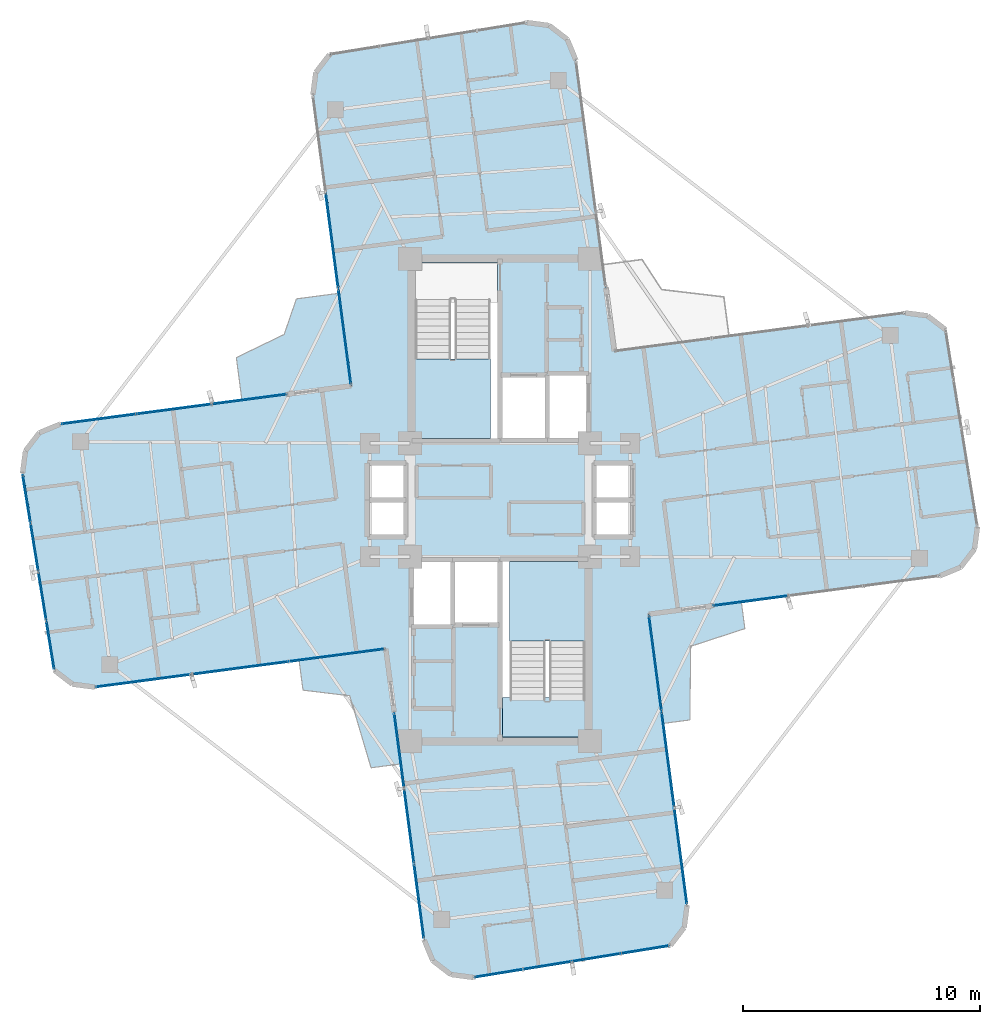
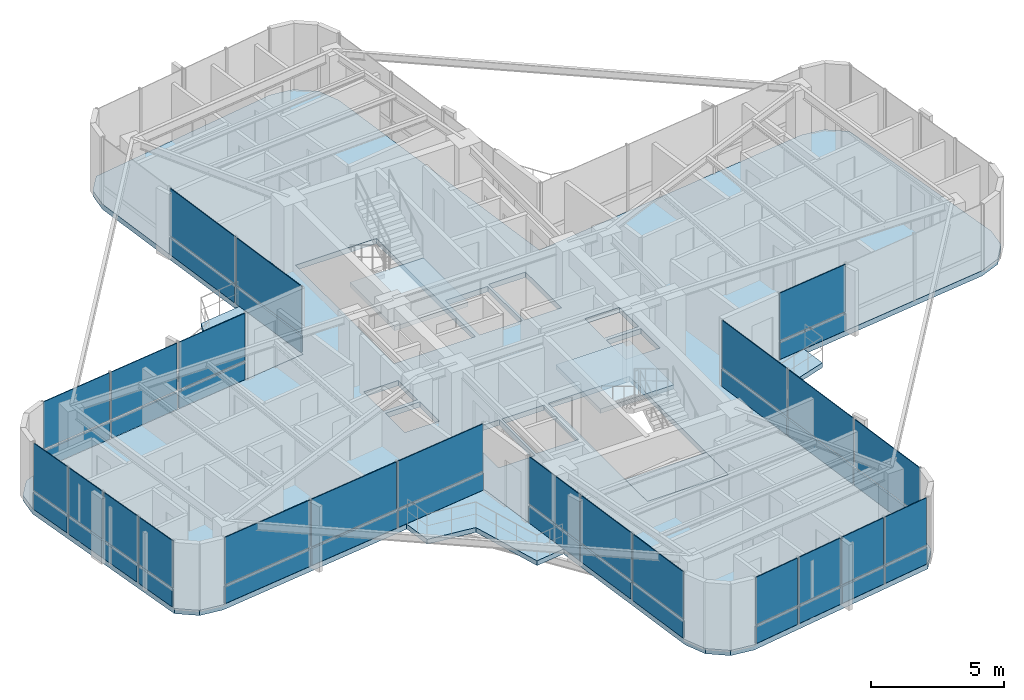
# One storey, part 17 of 23: 46 plates, 7 slabs, 10 elements without a shape of their own.
"""IFC4 building model written with IfcOpenShell, lengths in metres."""

from ifc_helpers import new_model, si_unit, direction, frame, origin, origin_2d, place, context, subcontext, project, spatial, polyline, rectangle, outline, extrude, source, transform, mapped, material, layer, layer_set, type_object, element, aggregate, save


model = new_model("IFC4")

# Units and contexts
model_context = context("Model", 3, precision=1e-05, world=origin(), true_north=direction((0.0, 1.0)))
body_context = subcontext(model_context, "Body", "Model", "MODEL_VIEW")
ifc_project = project(units=[si_unit("LENGTHUNIT", "METRE"), si_unit("AREAUNIT", "SQUARE_METRE"), si_unit("VOLUMEUNIT", "CUBIC_METRE"), si_unit("PLANEANGLEUNIT", "RADIAN"), si_unit("MASSUNIT", "GRAM", prefix="KILO")], contexts=[model_context])

# Site, building, storey
site_placement = place(None, origin())
site = spatial("IfcSite", under=ifc_project, at=site_placement, CompositionType="ELEMENT")
building_placement = place(site_placement, origin())
building = spatial("IfcBuilding", under=site, at=building_placement, Name="Sahyath Konkavel Grand Hotel", CompositionType="ELEMENT")
storey_placement = place(building_placement, frame((0.0, 0.0, 254.550048828125)))
storey = spatial("IfcBuildingStorey", under=building, at=storey_placement, Name="L71", CompositionType="ELEMENT", Elevation=254.550048828125)

# Slabs
ifc_material_1 = material(Name="Concrete C40/50", Category="concrete")
ifc_layer_1 = layer(ifc_material_1, 0.239990234375)
ifc_layer_set_1 = layer_set([ifc_layer_1], Name="Concrete C40/50")
slab_type_1 = type_object("IfcSlabType", Name="SLB-240", PredefinedType="FLOOR", material=ifc_layer_set_1)
slab_1_placement = place(storey_placement, frame((0.0, 0.0, -0.239990234375)))
element("IfcSlab", 1, at=slab_1_placement, inside=storey, type_object=slab_type_1, Name="L71 Structural Floor Slab", PredefinedType="FLOOR", context=body_context, shape_type="SweptSolid", body=[
    extrude(outline(polyline([(6.28759765625, -4.82470703125), (18.58056640625, -3.206298828125), (19.465087890625, -2.839599609375), (20.048095703125, -2.080078125), (20.173095703125, -1.130615234375), (18.82666015625, 7.197998046875), (18.06689453125, 7.781005859375), (17.117431640625, 7.906005859375), (4.82470703125, 6.28759765625), (3.206298828125, 18.58056640625), (2.839599609375, 19.465087890625), (2.080078125, 20.048095703125), (1.130615234375, 20.173095703125), (-7.197998046875, 18.82666015625), (-7.781005859375, 18.06689453125), (-7.906005859375, 17.117431640625), (-6.28759765625, 4.82470703125), (-18.58056640625, 3.206298828125), (-19.465087890625, 2.839599609375), (-20.048095703125, 2.080078125), (-20.173095703125, 1.130615234375), (-18.82666015625, -7.197998046875), (-18.06689453125, -7.781005859375), (-17.117431640625, -7.906005859375), (-4.82470703125, -6.28759765625), (-3.206298828125, -18.58056640625), (-2.839599609375, -19.465087890625), (-2.080078125, -20.048095703125), (-1.130615234375, -20.173095703125), (7.197998046875, -18.82666015625), (7.781005859375, -18.06689453125), (7.906005859375, -17.117431640625), (6.28759765625, -4.82470703125)]), holes=[polyline([(-3.6201171875, 2.580078125), (-0.10009765625, 2.580078125), (-0.10009765625, 10.02001953125), (-3.6201171875, 10.02001953125), (-3.6201171875, 2.580078125)]), polyline([(0.10009765625, -10.02001953125), (3.6201171875, -10.02001953125), (3.6201171875, -2.580078125), (0.10009765625, -2.580078125), (0.10009765625, -10.02001953125)]), polyline([(0.10009765625, 2.60009765625), (1.949951171875, 2.60009765625), (1.949951171875, 5.199951171875), (0.10009765625, 5.199951171875), (0.10009765625, 2.60009765625)]), polyline([(-1.949951171875, -5.199951171875), (-0.10009765625, -5.199951171875), (-0.10009765625, -2.60009765625), (-1.949951171875, -2.60009765625), (-1.949951171875, -5.199951171875)]), polyline([(2.050048828125, 2.60009765625), (3.64990234375, 2.60009765625), (3.64990234375, 5.300048828125), (2.050048828125, 5.300048828125), (2.050048828125, 2.60009765625)]), polyline([(-3.64990234375, -5.300048828125), (-2.050048828125, -5.300048828125), (-2.050048828125, -2.60009765625), (-3.64990234375, -2.60009765625), (-3.64990234375, -5.300048828125)]), polyline([(4.050048828125, 0.080078125), (5.550048828125, 0.080078125), (5.550048828125, 1.5400390625), (4.050048828125, 1.5400390625), (4.050048828125, 0.080078125)]), polyline([(4.050048828125, -1.5400390625), (5.550048828125, -1.5400390625), (5.550048828125, -0.080078125), (4.050048828125, -0.080078125), (4.050048828125, -1.5400390625)]), polyline([(-5.550048828125, 0.080078125), (-4.050048828125, 0.080078125), (-4.050048828125, 1.5400390625), (-5.550048828125, 1.5400390625), (-5.550048828125, 0.080078125)]), polyline([(-5.550048828125, -1.5400390625), (-4.050048828125, -1.5400390625), (-4.050048828125, -0.080078125), (-5.550048828125, -0.080078125), (-5.550048828125, -1.5400390625)])]), origin(), (0.0, 0.0, 1.0), 0.239990234375),
])
ifc_layer_2 = layer(ifc_material_1, 0.219970703125)
ifc_layer_set_2 = layer_set([ifc_layer_2], Name="Concrete C40/50")
slab_type_2 = type_object("IfcSlabType", Name="SLB-BALCONY-220", PredefinedType="FLOOR", material=ifc_layer_set_2)
slab_2_placement = place(storey_placement, frame((0.0, 0.0, -0.219970703125)))
element("IfcSlab", 2, at=slab_2_placement, inside=storey, type_object=slab_type_2, Name="L71 Winter-Garden Balcony NW", PredefinedType="FLOOR", context=body_context, shape_type="SweptSolid", body=[
    extrude(outline(polyline([(-6.28759765625, 4.82470703125), (-6.80224609375, 8.73486328125), (-8.603271484375, 8.497802734375), (-9.118408203125, 6.99658203125), (-11.140869140625, 6.017822265625), (-10.90380859375, 4.216796875), (-6.28759765625, 4.82470703125)])), origin(), (0.0, 0.0, 1.0), 0.219970703125),
])
slab_3_placement = place(storey_placement, frame((0.0, 0.0, -0.219970703125)))
element("IfcSlab", 3, at=slab_3_placement, inside=storey, type_object=slab_type_2, Name="L71 Winter-Garden Balcony SW", PredefinedType="FLOOR", context=body_context, shape_type="SweptSolid", body=[
    extrude(outline(polyline([(-4.82470703125, -6.28759765625), (-8.489990234375, -6.77001953125), (-8.323486328125, -8.03369140625), (-6.348388671875, -8.2734375), (-5.447998046875, -11.31494140625), (-4.1845703125, -11.148681640625), (-4.82470703125, -6.28759765625)])), origin(), (0.0, 0.0, 1.0), 0.219970703125),
])
slab_4_placement = place(storey_placement, frame((0.0, 0.0, -0.219970703125)))
element("IfcSlab", 4, at=slab_4_placement, inside=storey, type_object=slab_type_2, Name="L71 Winter-Garden Balcony SE", PredefinedType="FLOOR", context=body_context, shape_type="SweptSolid", body=[
    extrude(outline(polyline([(6.28759765625, -4.82470703125), (6.895263671875, -9.44091796875), (8.02099609375, -9.29248046875), (8.056884765625, -6.182373046875), (10.345947265625, -5.435546875), (10.19775390625, -4.309814453125), (6.28759765625, -4.82470703125)])), origin(), (0.0, 0.0, 1.0), 0.219970703125),
])

# Stair, slab
stair_type = type_object("IfcStairType", Name="STR-ST16-335", PredefinedType="HALF_TURN_STAIR", material=ifc_material_1)
stair_1_placement = place(storey_placement, origin())
stair_1 = element("IfcStair", 5, at=stair_1_placement, inside=storey, type_object=stair_type, Name="L71 North Core Smokeproof Exit Stair ST-1", PredefinedType="HALF_TURN_STAIR")
ifc_layer_3 = layer(ifc_material_1, 0.199951171875)
ifc_layer_set_3 = layer_set([ifc_layer_3], Name="Concrete C40/50")
slab_type_3 = type_object("IfcSlabType", Name="SLB-STAIR-LND", PredefinedType="LANDING", material=ifc_layer_set_3)
slab_5_placement = place(storey_placement, frame((0.0, 0.0, 1.474853515625)))
slab_5 = element("IfcSlab", 6, at=slab_5_placement, type_object=slab_type_3, Name="ST-1 landing 1", PredefinedType="LANDING", context=body_context, shape_type="SweptSolid", body=[
    extrude(outline(polyline([(-3.60009765625, 5.9599609375), (-3.60009765625, 2.60009765625), (-0.39990234375, 2.60009765625), (-0.39990234375, 5.9599609375), (-3.60009765625, 5.9599609375)])), origin(), (0.0, 0.0, 1.0), 0.2001953125),
])
aggregate(stair_1, [slab_5])

stair_2_placement = place(storey_placement, origin())
stair_2 = element("IfcStair", 7, at=stair_2_placement, inside=storey, type_object=stair_type, Name="L71 South Core Smokeproof Exit Stair ST-2", PredefinedType="HALF_TURN_STAIR")
slab_6_placement = place(storey_placement, frame((0.0, 0.0, 1.474853515625)))
slab_6 = element("IfcSlab", 8, at=slab_6_placement, type_object=slab_type_3, Name="ST-2 landing 1", PredefinedType="LANDING", context=body_context, shape_type="SweptSolid", body=[
    extrude(outline(polyline([(3.60009765625, -5.9599609375), (3.60009765625, -2.60009765625), (0.39990234375, -2.60009765625), (0.39990234375, -5.9599609375), (3.60009765625, -5.9599609375)])), origin(), (0.0, 0.0, 1.0), 0.2001953125),
])
aggregate(stair_2, [slab_6])

# Slab
slab_7_placement = place(storey_placement, frame((0.0, 0.0, -0.199951171875)))
element("IfcSlab", 9, at=slab_7_placement, inside=storey, type_object=slab_type_3, Name="L71 Stair ST-2 Floor Landing Slab", PredefinedType="LANDING", context=body_context, shape_type="SweptSolid", body=[
    extrude(outline(polyline([(0.10009765625, -10.02001953125), (3.6201171875, -10.02001953125), (3.6201171875, -8.35009765625), (0.10009765625, -8.35009765625), (0.10009765625, -10.02001953125)])), origin(), (0.0, 0.0, 1.0), 0.199951171875),
])

# Curtain wall, plate
ifc_material_2 = material(Name="Anodised Bronze Aluminium & Low-E Glazing", Category="aluminium")
curtain_wall_type = type_object("IfcCurtainWallType", Name="CW-ZONE4", PredefinedType="NOTDEFINED", material=ifc_material_2)
curtain_wall_1_placement = place(storey_placement, origin())
curtain_wall_1 = element("IfcCurtainWall", 10, at=curtain_wall_1_placement, inside=storey, type_object=curtain_wall_type, Name="L71 Unitised Curtain Wall F0", PredefinedType="NOTDEFINED")
ifc_material_3 = material(Name="Warm Buff Sandstone Cladding", Category="masonry")
ifc_layer_4 = layer(ifc_material_3, 0.074951171875)
ifc_layer_set_4 = layer_set([ifc_layer_4], Name="Warm Buff Sandstone Cladding")
plate_type_1 = type_object("IfcPlateType", Name="PNL-SPANDREL-STONE", PredefinedType="SHEET", material=ifc_layer_set_4)
shared_shape_1 = source(origin(), body_context, "Body", "SweptSolid", [
    extrude(rectangle(XDim=3.12646484375, YDim=0.074951171875, at=origin_2d()), origin(), (0.0, 0.0, 1.0), 0.77001953125),
])
plate_1_placement = place(storey_placement, frame((10.593505859375, -4.2578125, 0.0400390625), z_axis=(0.0, 0.0, 1.0), x_axis=(0.991444861374, 0.13052619222, 0.0)))
plate_1 = element("IfcPlate", 11, at=plate_1_placement, type_object=plate_type_1, Name="L71 Sandstone Relief Spandrel Panel F0-0", PredefinedType="SHEET", context=body_context, shape_type="MappedRepresentation", body=[
    mapped(shared_shape_1, transform((0.0, 0.0, 0.0), scale=1.0)),
])

# Curtain wall, plates
curtain_wall_2_placement = place(storey_placement, origin())
curtain_wall_2 = element("IfcCurtainWall", 12, at=curtain_wall_2_placement, inside=storey, type_object=curtain_wall_type, Name="L71 Unitised Curtain Wall F16", PredefinedType="NOTDEFINED")
plate_2_placement = place(storey_placement, frame((-10.593505859375, 4.2578125, 0.0400390625), z_axis=(0.0, 0.0, 1.0), x_axis=(-0.991444861374, -0.13052619222, 0.0)))
plate_2 = element("IfcPlate", 13, at=plate_2_placement, type_object=plate_type_1, Name="L71 Sandstone Relief Spandrel Panel F16-0", PredefinedType="SHEET", context=body_context, shape_type="MappedRepresentation", body=[
    mapped(shared_shape_1, transform((0.0, 0.0, 0.0), scale=1.0)),
])
plate_3_placement = place(storey_placement, frame((-13.7724609375, 3.839111328125, 0.0400390625), z_axis=(0.0, 0.0, 1.0), x_axis=(-0.991444861374, -0.13052619222, 0.0)))
plate_3 = element("IfcPlate", 14, at=plate_3_placement, type_object=plate_type_1, Name="L71 Sandstone Relief Spandrel Panel F16-1", PredefinedType="SHEET", context=body_context, shape_type="MappedRepresentation", body=[
    mapped(shared_shape_1, transform((0.0, 0.0, 0.0), scale=1.0)),
])
plate_4_placement = place(storey_placement, frame((-16.951416015625, 3.420654296875, 0.0400390625), z_axis=(0.0, 0.0, 1.0), x_axis=(-0.991444861374, -0.13052619222, 0.0)))
plate_4 = element("IfcPlate", 15, at=plate_4_placement, type_object=plate_type_1, Name="L71 Sandstone Relief Spandrel Panel F16-2", PredefinedType="SHEET", context=body_context, shape_type="MappedRepresentation", body=[
    mapped(shared_shape_1, transform((0.0, 0.0, 0.0), scale=1.0)),
])

curtain_wall_3_placement = place(storey_placement, origin())
curtain_wall_3 = element("IfcCurtainWall", 16, at=curtain_wall_3_placement, inside=storey, type_object=curtain_wall_type, Name="L71 Unitised Curtain Wall F24", PredefinedType="NOTDEFINED")
plate_5_placement = place(storey_placement, frame((-4.2578125, -10.593505859375, 0.0400390625), z_axis=(0.0, 0.0, 1.0), x_axis=(0.13052619222, -0.991444861374, 0.0)))
plate_5 = element("IfcPlate", 17, at=plate_5_placement, type_object=plate_type_1, Name="L71 Sandstone Relief Spandrel Panel F24-0", PredefinedType="SHEET", context=body_context, shape_type="MappedRepresentation", body=[
    mapped(shared_shape_1, transform((0.0, 0.0, 0.0), scale=1.0)),
])
plate_6_placement = place(storey_placement, frame((-3.839111328125, -13.7724609375, 0.0400390625), z_axis=(0.0, 0.0, 1.0), x_axis=(0.13052619222, -0.991444861374, 0.0)))
plate_6 = element("IfcPlate", 18, at=plate_6_placement, type_object=plate_type_1, Name="L71 Sandstone Relief Spandrel Panel F24-1", PredefinedType="SHEET", context=body_context, shape_type="MappedRepresentation", body=[
    mapped(shared_shape_1, transform((0.0, 0.0, 0.0), scale=1.0)),
])
plate_7_placement = place(storey_placement, frame((-3.420654296875, -16.951416015625, 0.0400390625), z_axis=(0.0, 0.0, 1.0), x_axis=(0.13052619222, -0.991444861374, 0.0)))
plate_7 = element("IfcPlate", 19, at=plate_7_placement, type_object=plate_type_1, Name="L71 Sandstone Relief Spandrel Panel F24-2", PredefinedType="SHEET", context=body_context, shape_type="MappedRepresentation", body=[
    mapped(shared_shape_1, transform((0.0, 0.0, 0.0), scale=1.0)),
])

# Plate
ifc_material_4 = material(Name="Low-E Solar Control Double Glazing", Category="glass")
ifc_layer_5 = layer(ifc_material_4, 0.035888671875)
ifc_layer_set_5 = layer_set([ifc_layer_5], Name="Low-E Solar Control Double Glazing")
plate_type_2 = type_object("IfcPlateType", Name="PNL-VISION-LOWE", PredefinedType="CURTAIN_PANEL", material=ifc_layer_set_5)
shared_shape_2 = source(origin(), body_context, "Body", "SweptSolid", [
    extrude(rectangle(XDim=3.12646484375, YDim=0.035888671875, at=origin_2d()), origin(), (0.0, 0.0, 1.0), 2.179931640625),
])
plate_8_placement = place(storey_placement, frame((10.593505859375, -4.2578125, 0.89013671875), z_axis=(0.0, 0.0, 1.0), x_axis=(0.991444861374, 0.13052619222, 0.0)))
plate_8 = element("IfcPlate", 20, at=plate_8_placement, type_object=plate_type_2, Name="L71 Low-E Vision Glazing Panel F0-0", PredefinedType="CURTAIN_PANEL", context=body_context, shape_type="MappedRepresentation", body=[
    mapped(shared_shape_2, transform((0.0, 0.0, 0.0), scale=1.0)),
])

aggregate(curtain_wall_1, [plate_1, plate_8])

plate_9_placement = place(storey_placement, frame((-10.593505859375, 4.2578125, 0.89013671875), z_axis=(0.0, 0.0, 1.0), x_axis=(-0.991444861374, -0.13052619222, 0.0)))
plate_9 = element("IfcPlate", 21, at=plate_9_placement, type_object=plate_type_2, Name="L71 Low-E Vision Glazing Panel F16-0", PredefinedType="CURTAIN_PANEL", context=body_context, shape_type="MappedRepresentation", body=[
    mapped(shared_shape_2, transform((0.0, 0.0, 0.0), scale=1.0)),
])

plate_10_placement = place(storey_placement, frame((-13.7724609375, 3.839111328125, 0.89013671875), z_axis=(0.0, 0.0, 1.0), x_axis=(-0.991444861374, -0.13052619222, 0.0)))
plate_10 = element("IfcPlate", 22, at=plate_10_placement, type_object=plate_type_2, Name="L71 Low-E Vision Glazing Panel F16-1", PredefinedType="CURTAIN_PANEL", context=body_context, shape_type="MappedRepresentation", body=[
    mapped(shared_shape_2, transform((0.0, 0.0, 0.0), scale=1.0)),
])

plate_11_placement = place(storey_placement, frame((-16.951416015625, 3.420654296875, 0.89013671875), z_axis=(0.0, 0.0, 1.0), x_axis=(-0.991444861374, -0.13052619222, 0.0)))
plate_11 = element("IfcPlate", 23, at=plate_11_placement, type_object=plate_type_2, Name="L71 Low-E Vision Glazing Panel F16-2", PredefinedType="CURTAIN_PANEL", context=body_context, shape_type="MappedRepresentation", body=[
    mapped(shared_shape_2, transform((0.0, 0.0, 0.0), scale=1.0)),
])

aggregate(curtain_wall_2, [plate_2, plate_9, plate_3, plate_10, plate_4, plate_11])

plate_12_placement = place(storey_placement, frame((-4.2578125, -10.593505859375, 0.89013671875), z_axis=(0.0, 0.0, 1.0), x_axis=(0.13052619222, -0.991444861374, 0.0)))
plate_12 = element("IfcPlate", 24, at=plate_12_placement, type_object=plate_type_2, Name="L71 Low-E Vision Glazing Panel F24-0", PredefinedType="CURTAIN_PANEL", context=body_context, shape_type="MappedRepresentation", body=[
    mapped(shared_shape_2, transform((0.0, 0.0, 0.0), scale=1.0)),
])

plate_13_placement = place(storey_placement, frame((-3.839111328125, -13.7724609375, 0.89013671875), z_axis=(0.0, 0.0, 1.0), x_axis=(0.13052619222, -0.991444861374, 0.0)))
plate_13 = element("IfcPlate", 25, at=plate_13_placement, type_object=plate_type_2, Name="L71 Low-E Vision Glazing Panel F24-1", PredefinedType="CURTAIN_PANEL", context=body_context, shape_type="MappedRepresentation", body=[
    mapped(shared_shape_2, transform((0.0, 0.0, 0.0), scale=1.0)),
])

plate_14_placement = place(storey_placement, frame((-3.420654296875, -16.951416015625, 0.89013671875), z_axis=(0.0, 0.0, 1.0), x_axis=(0.13052619222, -0.991444861374, 0.0)))
plate_14 = element("IfcPlate", 26, at=plate_14_placement, type_object=plate_type_2, Name="L71 Low-E Vision Glazing Panel F24-2", PredefinedType="CURTAIN_PANEL", context=body_context, shape_type="MappedRepresentation", body=[
    mapped(shared_shape_2, transform((0.0, 0.0, 0.0), scale=1.0)),
])

aggregate(curtain_wall_3, [plate_5, plate_12, plate_6, plate_13, plate_7, plate_14])

# Curtain wall, plates
curtain_wall_4_placement = place(storey_placement, origin())
curtain_wall_4 = element("IfcCurtainWall", 27, at=curtain_wall_4_placement, inside=storey, type_object=curtain_wall_type, Name="L71 Unitised Curtain Wall F20", PredefinedType="NOTDEFINED")
shared_shape_3 = source(origin(), body_context, "Body", "SweptSolid", [
    extrude(rectangle(XDim=2.00927734375, YDim=0.074951171875, at=origin_2d()), origin(), (0.0, 0.0, 1.0), 0.77001953125),
])
plate_15_placement = place(storey_placement, frame((-20.0, 0.059814453125, 0.0400390625), z_axis=(0.0, 0.0, 1.0), x_axis=(0.159605521014, -0.987180873833, 0.0)))
plate_15 = element("IfcPlate", 28, at=plate_15_placement, type_object=plate_type_1, Name="L71 Sandstone Relief Spandrel Panel F20-0", PredefinedType="SHEET", context=body_context, shape_type="MappedRepresentation", body=[
    mapped(shared_shape_3, transform((0.0, 0.0, 0.0), scale=1.0)),
])
plate_16_placement = place(storey_placement, frame((-19.666748046875, -2.002685546875, 0.0400390625), z_axis=(0.0, 0.0, 1.0), x_axis=(0.159605521014, -0.987180873833, 0.0)))
plate_16 = element("IfcPlate", 29, at=plate_16_placement, type_object=plate_type_1, Name="L71 Sandstone Relief Spandrel Panel F20-1", PredefinedType="SHEET", context=body_context, shape_type="MappedRepresentation", body=[
    mapped(shared_shape_3, transform((0.0, 0.0, 0.0), scale=1.0)),
])
plate_17_placement = place(storey_placement, frame((-19.333251953125, -4.06494140625, 0.0400390625), z_axis=(0.0, 0.0, 1.0), x_axis=(0.159605521014, -0.987180873833, 0.0)))
plate_17 = element("IfcPlate", 30, at=plate_17_placement, type_object=plate_type_1, Name="L71 Sandstone Relief Spandrel Panel F20-2", PredefinedType="SHEET", context=body_context, shape_type="MappedRepresentation", body=[
    mapped(shared_shape_3, transform((0.0, 0.0, 0.0), scale=1.0)),
])
plate_18_placement = place(storey_placement, frame((-18.999755859375, -6.127197265625, 0.0400390625), z_axis=(0.0, 0.0, 1.0), x_axis=(0.159605521014, -0.987180873833, 0.0)))
plate_18 = element("IfcPlate", 31, at=plate_18_placement, type_object=plate_type_1, Name="L71 Sandstone Relief Spandrel Panel F20-3", PredefinedType="SHEET", context=body_context, shape_type="MappedRepresentation", body=[
    mapped(shared_shape_3, transform((0.0, 0.0, 0.0), scale=1.0)),
])

curtain_wall_5_placement = place(storey_placement, origin())
curtain_wall_5 = element("IfcCurtainWall", 32, at=curtain_wall_5_placement, inside=storey, type_object=curtain_wall_type, Name="L71 Unitised Curtain Wall F28", PredefinedType="NOTDEFINED")
plate_19_placement = place(storey_placement, frame((-0.059814453125, -20.0, 0.0400390625), z_axis=(0.0, 0.0, 1.0), x_axis=(0.987180873833, 0.159605521014, 0.0)))
plate_19 = element("IfcPlate", 33, at=plate_19_placement, type_object=plate_type_1, Name="L71 Sandstone Relief Spandrel Panel F28-0", PredefinedType="SHEET", context=body_context, shape_type="MappedRepresentation", body=[
    mapped(shared_shape_3, transform((0.0, 0.0, 0.0), scale=1.0)),
])
plate_20_placement = place(storey_placement, frame((2.002685546875, -19.666748046875, 0.0400390625), z_axis=(0.0, 0.0, 1.0), x_axis=(0.987180873833, 0.159605521014, 0.0)))
plate_20 = element("IfcPlate", 34, at=plate_20_placement, type_object=plate_type_1, Name="L71 Sandstone Relief Spandrel Panel F28-1", PredefinedType="SHEET", context=body_context, shape_type="MappedRepresentation", body=[
    mapped(shared_shape_3, transform((0.0, 0.0, 0.0), scale=1.0)),
])
plate_21_placement = place(storey_placement, frame((4.06494140625, -19.333251953125, 0.0400390625), z_axis=(0.0, 0.0, 1.0), x_axis=(0.987180873833, 0.159605521014, 0.0)))
plate_21 = element("IfcPlate", 35, at=plate_21_placement, type_object=plate_type_1, Name="L71 Sandstone Relief Spandrel Panel F28-2", PredefinedType="SHEET", context=body_context, shape_type="MappedRepresentation", body=[
    mapped(shared_shape_3, transform((0.0, 0.0, 0.0), scale=1.0)),
])
plate_22_placement = place(storey_placement, frame((6.127197265625, -18.999755859375, 0.0400390625), z_axis=(0.0, 0.0, 1.0), x_axis=(0.987180873833, 0.159605521014, 0.0)))
plate_22 = element("IfcPlate", 36, at=plate_22_placement, type_object=plate_type_1, Name="L71 Sandstone Relief Spandrel Panel F28-3", PredefinedType="SHEET", context=body_context, shape_type="MappedRepresentation", body=[
    mapped(shared_shape_3, transform((0.0, 0.0, 0.0), scale=1.0)),
])

# Plate
shared_shape_4 = source(origin(), body_context, "Body", "SweptSolid", [
    extrude(rectangle(XDim=2.00927734375, YDim=0.035888671875, at=origin_2d()), origin(), (0.0, 0.0, 1.0), 2.179931640625),
])
plate_23_placement = place(storey_placement, frame((-20.0, 0.059814453125, 0.89013671875), z_axis=(0.0, 0.0, 1.0), x_axis=(0.159605521014, -0.987180873833, 0.0)))
plate_23 = element("IfcPlate", 37, at=plate_23_placement, type_object=plate_type_2, Name="L71 Low-E Vision Glazing Panel F20-0", PredefinedType="CURTAIN_PANEL", context=body_context, shape_type="MappedRepresentation", body=[
    mapped(shared_shape_4, transform((0.0, 0.0, 0.0), scale=1.0)),
])

plate_24_placement = place(storey_placement, frame((-19.666748046875, -2.002685546875, 0.89013671875), z_axis=(0.0, 0.0, 1.0), x_axis=(0.159605521014, -0.987180873833, 0.0)))
plate_24 = element("IfcPlate", 38, at=plate_24_placement, type_object=plate_type_2, Name="L71 Low-E Vision Glazing Panel F20-1", PredefinedType="CURTAIN_PANEL", context=body_context, shape_type="MappedRepresentation", body=[
    mapped(shared_shape_4, transform((0.0, 0.0, 0.0), scale=1.0)),
])

plate_25_placement = place(storey_placement, frame((-19.333251953125, -4.06494140625, 0.89013671875), z_axis=(0.0, 0.0, 1.0), x_axis=(0.159605521014, -0.987180873833, 0.0)))
plate_25 = element("IfcPlate", 39, at=plate_25_placement, type_object=plate_type_2, Name="L71 Low-E Vision Glazing Panel F20-2", PredefinedType="CURTAIN_PANEL", context=body_context, shape_type="MappedRepresentation", body=[
    mapped(shared_shape_4, transform((0.0, 0.0, 0.0), scale=1.0)),
])

plate_26_placement = place(storey_placement, frame((-18.999755859375, -6.127197265625, 0.89013671875), z_axis=(0.0, 0.0, 1.0), x_axis=(0.159605521014, -0.987180873833, 0.0)))
plate_26 = element("IfcPlate", 40, at=plate_26_placement, type_object=plate_type_2, Name="L71 Low-E Vision Glazing Panel F20-3", PredefinedType="CURTAIN_PANEL", context=body_context, shape_type="MappedRepresentation", body=[
    mapped(shared_shape_4, transform((0.0, 0.0, 0.0), scale=1.0)),
])

aggregate(curtain_wall_4, [plate_15, plate_23, plate_16, plate_24, plate_17, plate_25, plate_18, plate_26])

plate_27_placement = place(storey_placement, frame((-0.059814453125, -20.0, 0.89013671875), z_axis=(0.0, 0.0, 1.0), x_axis=(0.987180873833, 0.159605521014, 0.0)))
plate_27 = element("IfcPlate", 41, at=plate_27_placement, type_object=plate_type_2, Name="L71 Low-E Vision Glazing Panel F28-0", PredefinedType="CURTAIN_PANEL", context=body_context, shape_type="MappedRepresentation", body=[
    mapped(shared_shape_4, transform((0.0, 0.0, 0.0), scale=1.0)),
])

plate_28_placement = place(storey_placement, frame((2.002685546875, -19.666748046875, 0.89013671875), z_axis=(0.0, 0.0, 1.0), x_axis=(0.987180873833, 0.159605521014, 0.0)))
plate_28 = element("IfcPlate", 42, at=plate_28_placement, type_object=plate_type_2, Name="L71 Low-E Vision Glazing Panel F28-1", PredefinedType="CURTAIN_PANEL", context=body_context, shape_type="MappedRepresentation", body=[
    mapped(shared_shape_4, transform((0.0, 0.0, 0.0), scale=1.0)),
])

plate_29_placement = place(storey_placement, frame((4.06494140625, -19.333251953125, 0.89013671875), z_axis=(0.0, 0.0, 1.0), x_axis=(0.987180873833, 0.159605521014, 0.0)))
plate_29 = element("IfcPlate", 43, at=plate_29_placement, type_object=plate_type_2, Name="L71 Low-E Vision Glazing Panel F28-2", PredefinedType="CURTAIN_PANEL", context=body_context, shape_type="MappedRepresentation", body=[
    mapped(shared_shape_4, transform((0.0, 0.0, 0.0), scale=1.0)),
])

plate_30_placement = place(storey_placement, frame((6.127197265625, -18.999755859375, 0.89013671875), z_axis=(0.0, 0.0, 1.0), x_axis=(0.987180873833, 0.159605521014, 0.0)))
plate_30 = element("IfcPlate", 44, at=plate_30_placement, type_object=plate_type_2, Name="L71 Low-E Vision Glazing Panel F28-3", PredefinedType="CURTAIN_PANEL", context=body_context, shape_type="MappedRepresentation", body=[
    mapped(shared_shape_4, transform((0.0, 0.0, 0.0), scale=1.0)),
])

aggregate(curtain_wall_5, [plate_19, plate_27, plate_20, plate_28, plate_21, plate_29, plate_22, plate_30])

# Curtain wall, plates
curtain_wall_6_placement = place(storey_placement, origin())
curtain_wall_6 = element("IfcCurtainWall", 45, at=curtain_wall_6_placement, inside=storey, type_object=curtain_wall_type, Name="L71 Unitised Curtain Wall F15", PredefinedType="NOTDEFINED")
shared_shape_5 = source(origin(), body_context, "Body", "SweptSolid", [
    extrude(rectangle(XDim=4.0263671875, YDim=0.074951171875, at=origin_2d()), origin(), (0.0, 0.0, 1.0), 0.77001953125),
])
plate_31_placement = place(storey_placement, frame((-7.0966796875, 10.970947265625, 0.0400390625), z_axis=(0.0, 0.0, 1.0), x_axis=(0.13052619222, -0.991444861374, 0.0)))
plate_31 = element("IfcPlate", 46, at=plate_31_placement, type_object=plate_type_1, Name="L71 Sandstone Relief Spandrel Panel F15-1", PredefinedType="SHEET", context=body_context, shape_type="MappedRepresentation", body=[
    mapped(shared_shape_5, transform((0.0, 0.0, 0.0), scale=1.0)),
])
plate_32_placement = place(storey_placement, frame((-6.560791015625, 6.89990234375, 0.0400390625), z_axis=(0.0, 0.0, 1.0), x_axis=(0.13052619222, -0.991444861374, 0.0)))
plate_32 = element("IfcPlate", 47, at=plate_32_placement, type_object=plate_type_1, Name="L71 Sandstone Relief Spandrel Panel F15-2", PredefinedType="SHEET", context=body_context, shape_type="MappedRepresentation", body=[
    mapped(shared_shape_5, transform((0.0, 0.0, 0.0), scale=1.0)),
])

curtain_wall_7_placement = place(storey_placement, origin())
curtain_wall_7 = element("IfcCurtainWall", 48, at=curtain_wall_7_placement, inside=storey, type_object=curtain_wall_type, Name="L71 Unitised Curtain Wall F23", PredefinedType="NOTDEFINED")
plate_33_placement = place(storey_placement, frame((-15.042236328125, -7.6328125, 0.0400390625), z_axis=(0.0, 0.0, 1.0), x_axis=(0.991444861374, 0.13052619222, 0.0)))
plate_33 = element("IfcPlate", 49, at=plate_33_placement, type_object=plate_type_1, Name="L71 Sandstone Relief Spandrel Panel F23-0", PredefinedType="SHEET", context=body_context, shape_type="MappedRepresentation", body=[
    mapped(shared_shape_5, transform((0.0, 0.0, 0.0), scale=1.0)),
])
plate_34_placement = place(storey_placement, frame((-10.970947265625, -7.0966796875, 0.0400390625), z_axis=(0.0, 0.0, 1.0), x_axis=(0.991444861374, 0.13052619222, 0.0)))
plate_34 = element("IfcPlate", 50, at=plate_34_placement, type_object=plate_type_1, Name="L71 Sandstone Relief Spandrel Panel F23-1", PredefinedType="SHEET", context=body_context, shape_type="MappedRepresentation", body=[
    mapped(shared_shape_5, transform((0.0, 0.0, 0.0), scale=1.0)),
])
plate_35_placement = place(storey_placement, frame((-6.89990234375, -6.560791015625, 0.0400390625), z_axis=(0.0, 0.0, 1.0), x_axis=(0.991444861374, 0.13052619222, 0.0)))
plate_35 = element("IfcPlate", 51, at=plate_35_placement, type_object=plate_type_1, Name="L71 Sandstone Relief Spandrel Panel F23-2", PredefinedType="SHEET", context=body_context, shape_type="MappedRepresentation", body=[
    mapped(shared_shape_5, transform((0.0, 0.0, 0.0), scale=1.0)),
])

curtain_wall_8_placement = place(storey_placement, origin())
curtain_wall_8 = element("IfcCurtainWall", 52, at=curtain_wall_8_placement, inside=storey, type_object=curtain_wall_type, Name="L71 Unitised Curtain Wall F31", PredefinedType="NOTDEFINED")
plate_36_placement = place(storey_placement, frame((7.6328125, -15.042236328125, 0.0400390625), z_axis=(0.0, 0.0, 1.0), x_axis=(-0.13052619222, 0.991444861374, 0.0)))
plate_36 = element("IfcPlate", 53, at=plate_36_placement, type_object=plate_type_1, Name="L71 Sandstone Relief Spandrel Panel F31-0", PredefinedType="SHEET", context=body_context, shape_type="MappedRepresentation", body=[
    mapped(shared_shape_5, transform((0.0, 0.0, 0.0), scale=1.0)),
])
plate_37_placement = place(storey_placement, frame((7.0966796875, -10.970947265625, 0.0400390625), z_axis=(0.0, 0.0, 1.0), x_axis=(-0.13052619222, 0.991444861374, 0.0)))
plate_37 = element("IfcPlate", 54, at=plate_37_placement, type_object=plate_type_1, Name="L71 Sandstone Relief Spandrel Panel F31-1", PredefinedType="SHEET", context=body_context, shape_type="MappedRepresentation", body=[
    mapped(shared_shape_5, transform((0.0, 0.0, 0.0), scale=1.0)),
])
plate_38_placement = place(storey_placement, frame((6.560791015625, -6.89990234375, 0.0400390625), z_axis=(0.0, 0.0, 1.0), x_axis=(-0.13052619222, 0.991444861374, 0.0)))
plate_38 = element("IfcPlate", 55, at=plate_38_placement, type_object=plate_type_1, Name="L71 Sandstone Relief Spandrel Panel F31-2", PredefinedType="SHEET", context=body_context, shape_type="MappedRepresentation", body=[
    mapped(shared_shape_5, transform((0.0, 0.0, 0.0), scale=1.0)),
])

# Plate
shared_shape_6 = source(origin(), body_context, "Body", "SweptSolid", [
    extrude(rectangle(XDim=4.0263671875, YDim=0.035888671875, at=origin_2d()), origin(), (0.0, 0.0, 1.0), 2.179931640625),
])
plate_39_placement = place(storey_placement, frame((-7.0966796875, 10.970947265625, 0.89013671875), z_axis=(0.0, 0.0, 1.0), x_axis=(0.13052619222, -0.991444861374, 0.0)))
plate_39 = element("IfcPlate", 56, at=plate_39_placement, type_object=plate_type_2, Name="L71 Low-E Vision Glazing Panel F15-1", PredefinedType="CURTAIN_PANEL", context=body_context, shape_type="MappedRepresentation", body=[
    mapped(shared_shape_6, transform((0.0, 0.0, 0.0), scale=1.0)),
])

plate_40_placement = place(storey_placement, frame((-6.560791015625, 6.89990234375, 0.89013671875), z_axis=(0.0, 0.0, 1.0), x_axis=(0.13052619222, -0.991444861374, 0.0)))
plate_40 = element("IfcPlate", 57, at=plate_40_placement, type_object=plate_type_2, Name="L71 Low-E Vision Glazing Panel F15-2", PredefinedType="CURTAIN_PANEL", context=body_context, shape_type="MappedRepresentation", body=[
    mapped(shared_shape_6, transform((0.0, 0.0, 0.0), scale=1.0)),
])

aggregate(curtain_wall_6, [plate_31, plate_39, plate_32, plate_40])

plate_41_placement = place(storey_placement, frame((-15.042236328125, -7.6328125, 0.89013671875), z_axis=(0.0, 0.0, 1.0), x_axis=(0.991444861374, 0.13052619222, 0.0)))
plate_41 = element("IfcPlate", 58, at=plate_41_placement, type_object=plate_type_2, Name="L71 Low-E Vision Glazing Panel F23-0", PredefinedType="CURTAIN_PANEL", context=body_context, shape_type="MappedRepresentation", body=[
    mapped(shared_shape_6, transform((0.0, 0.0, 0.0), scale=1.0)),
])

plate_42_placement = place(storey_placement, frame((-10.970947265625, -7.0966796875, 0.89013671875), z_axis=(0.0, 0.0, 1.0), x_axis=(0.991444861374, 0.13052619222, 0.0)))
plate_42 = element("IfcPlate", 59, at=plate_42_placement, type_object=plate_type_2, Name="L71 Low-E Vision Glazing Panel F23-1", PredefinedType="CURTAIN_PANEL", context=body_context, shape_type="MappedRepresentation", body=[
    mapped(shared_shape_6, transform((0.0, 0.0, 0.0), scale=1.0)),
])

plate_43_placement = place(storey_placement, frame((-6.89990234375, -6.560791015625, 0.89013671875), z_axis=(0.0, 0.0, 1.0), x_axis=(0.991444861374, 0.13052619222, 0.0)))
plate_43 = element("IfcPlate", 60, at=plate_43_placement, type_object=plate_type_2, Name="L71 Low-E Vision Glazing Panel F23-2", PredefinedType="CURTAIN_PANEL", context=body_context, shape_type="MappedRepresentation", body=[
    mapped(shared_shape_6, transform((0.0, 0.0, 0.0), scale=1.0)),
])

aggregate(curtain_wall_7, [plate_33, plate_41, plate_34, plate_42, plate_35, plate_43])

plate_44_placement = place(storey_placement, frame((7.6328125, -15.042236328125, 0.89013671875), z_axis=(0.0, 0.0, 1.0), x_axis=(-0.13052619222, 0.991444861374, 0.0)))
plate_44 = element("IfcPlate", 61, at=plate_44_placement, type_object=plate_type_2, Name="L71 Low-E Vision Glazing Panel F31-0", PredefinedType="CURTAIN_PANEL", context=body_context, shape_type="MappedRepresentation", body=[
    mapped(shared_shape_6, transform((0.0, 0.0, 0.0), scale=1.0)),
])

plate_45_placement = place(storey_placement, frame((7.0966796875, -10.970947265625, 0.89013671875), z_axis=(0.0, 0.0, 1.0), x_axis=(-0.13052619222, 0.991444861374, 0.0)))
plate_45 = element("IfcPlate", 62, at=plate_45_placement, type_object=plate_type_2, Name="L71 Low-E Vision Glazing Panel F31-1", PredefinedType="CURTAIN_PANEL", context=body_context, shape_type="MappedRepresentation", body=[
    mapped(shared_shape_6, transform((0.0, 0.0, 0.0), scale=1.0)),
])

plate_46_placement = place(storey_placement, frame((6.560791015625, -6.89990234375, 0.89013671875), z_axis=(0.0, 0.0, 1.0), x_axis=(-0.13052619222, 0.991444861374, 0.0)))
plate_46 = element("IfcPlate", 63, at=plate_46_placement, type_object=plate_type_2, Name="L71 Low-E Vision Glazing Panel F31-2", PredefinedType="CURTAIN_PANEL", context=body_context, shape_type="MappedRepresentation", body=[
    mapped(shared_shape_6, transform((0.0, 0.0, 0.0), scale=1.0)),
])

aggregate(curtain_wall_8, [plate_36, plate_44, plate_37, plate_45, plate_38, plate_46])

save(model, "model.ifc")
